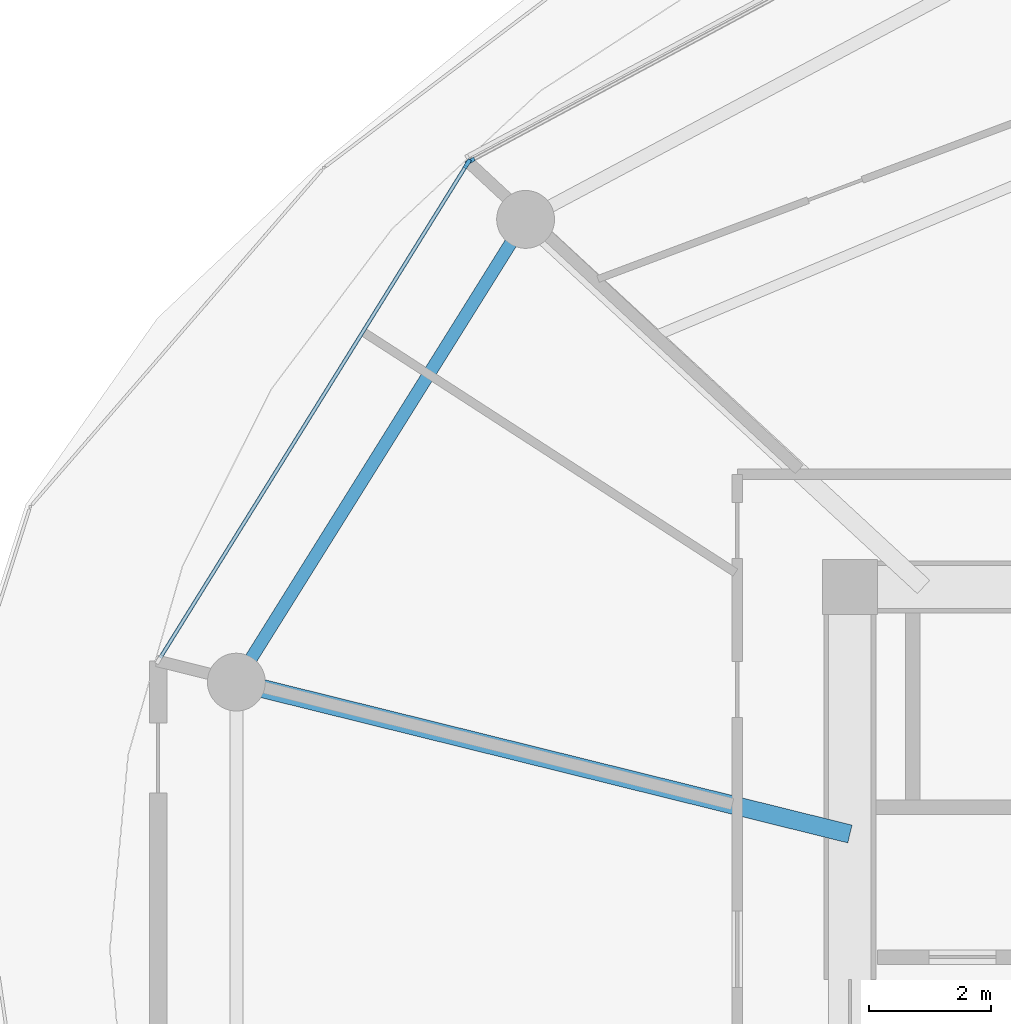
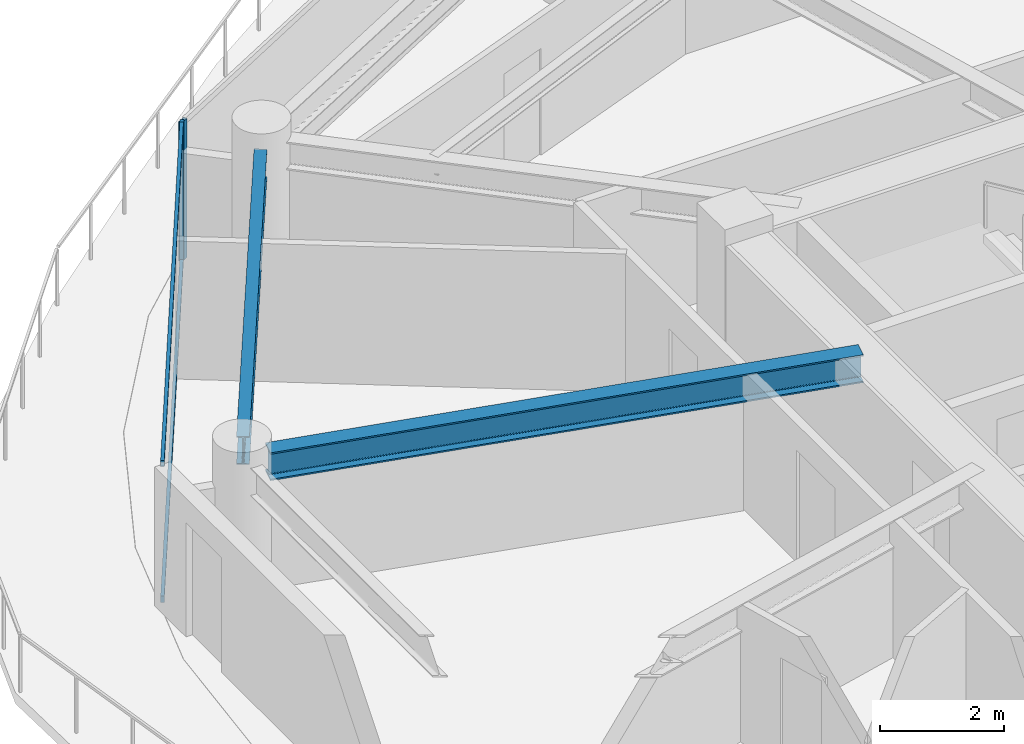
# One storey, part 8 of 26: 4 members, 2 beams, 2 elements without a shape of their own.
"""IFC4 building model written with IfcOpenShell, lengths in metres."""

from ifc_helpers import new_model, si_unit, direction, frame, origin, origin_2d, place, context, subcontext, project, spatial, rectangle, i_section, extrude, source, transform, mapped, material, layer, layer_set, material_profile, profile_set, type_object, type_shapes, element, aggregate, save


model = new_model("IFC4")

# Units and contexts
model_context = context("Model", 3, precision=1e-05, world=origin(), true_north=direction((0.0, 1.0)))
body_context = subcontext(model_context, "Body", "Model", "MODEL_VIEW")
ifc_project = project(units=[si_unit("LENGTHUNIT", "METRE"), si_unit("AREAUNIT", "SQUARE_METRE"), si_unit("VOLUMEUNIT", "CUBIC_METRE"), si_unit("PLANEANGLEUNIT", "RADIAN"), si_unit("MASSUNIT", "GRAM", prefix="KILO")], contexts=[model_context])

# Site, building, storey
site_placement = place(None, origin())
site = spatial("IfcSite", under=ifc_project, at=site_placement, CompositionType="ELEMENT")
building_placement = place(site_placement, origin())
building = spatial("IfcBuilding", under=site, at=building_placement, Name="Norrkilde Senior Care Towers", CompositionType="ELEMENT")
storey_placement = place(building_placement, frame((0.0, 0.0, 70.39990234375)))
storey = spatial("IfcBuildingStorey", under=building, at=storey_placement, Name="L21", CompositionType="ELEMENT", Elevation=70.39990234375)

# Beams
ifc_material_1 = material(Name="Steel S355", Category="steel")
ifc_material_profile_1 = material_profile(ifc_material_1, i_section(OverallWidth=0.2099609375, OverallDepth=0.550048828125, WebThickness=0.010986328125, FlangeThickness=0.01708984375, FilletRadius=0.02392578125, at=origin_2d()), Name="IPE 550")
ifc_profile_set_1 = profile_set([ifc_material_profile_1], Name="Steel S355")
beam_type_1 = type_object("IfcBeamType", Name="Perimeter Ring Spandrel Z1 IPE550", PredefinedType="SPANDREL", material=ifc_profile_set_1)
shared_shape_1 = source(origin(), body_context, "Body", "SweptSolid", [
    extrude(i_section(OverallWidth=0.2099609375, OverallDepth=0.550048828125, WebThickness=0.010986328125, FlangeThickness=0.01708984375, FilletRadius=0.02392578125, at=origin_2d()), origin(), (0.0, 0.0, 1.0), 8.090576171875),
])
type_shapes(beam_type_1, [shared_shape_1])
beam_1_placement = place(storey_placement, frame((14.7939453125, 11.61669921875, 2.455078125), z_axis=(-0.530004364821, -0.84799491347, 0.0), x_axis=(0.84799491347, -0.530004364821, 0.0)))
element("IfcBeam", 1, at=beam_1_placement, inside=storey, type_object=beam_type_1, Name="L21 Drum E Perimeter Spandrel 05", PredefinedType="SPANDREL", context=body_context, shape_type="MappedRepresentation", body=[
    mapped(shared_shape_1, transform((0.0, 0.0, 0.0), x_axis=(1.0, 0.0, 0.0), y_axis=(0.0, 1.0, 0.0), z_axis=(0.0, 0.0, 1.0), scale=1.0)),
])
ifc_material_profile_2 = material_profile(ifc_material_1, i_section(OverallWidth=0.300048828125, OverallDepth=0.550048828125, WebThickness=0.014892578125, FlangeThickness=0.029052734375, FilletRadius=0.027099609375, at=origin_2d()), Name="HEB 550")
ifc_profile_set_2 = profile_set([ifc_material_profile_2], Name="Steel S355")
beam_type_2 = type_object("IfcBeamType", Name="Radial Floor Beam Z1 HEB550", PredefinedType="BEAM", material=ifc_profile_set_2)
shared_shape_2 = source(origin(), body_context, "Body", "SweptSolid", [
    extrude(i_section(OverallWidth=0.300048828125, OverallDepth=0.550048828125, WebThickness=0.014892578125, FlangeThickness=0.029052734375, FilletRadius=0.027099609375, at=origin_2d()), origin(), (0.0, 0.0, 1.0), 9.94384765625),
])
type_shapes(beam_type_2, [shared_shape_2])
beam_2_placement = place(storey_placement, frame((20.35009765625, 1.893310546875, 2.455078125), z_axis=(-0.970707425182, 0.240264634718, 0.0), x_axis=(-0.240264634718, -0.970707425182, 0.0)))
element("IfcBeam", 2, at=beam_2_placement, inside=storey, type_object=beam_type_2, Name="L21 Drum E Radial Floor Beam 06", PredefinedType="BEAM", context=body_context, shape_type="MappedRepresentation", body=[
    mapped(shared_shape_2, transform((0.0, 0.0, 0.0), x_axis=(1.0, 0.0, 0.0), y_axis=(0.0, 1.0, 0.0), z_axis=(0.0, 0.0, 1.0), scale=1.0)),
])

# Curtain wall, members
ifc_material_2 = material(Name="Triple Low-E Insulated Glazing", Category="glass")
ifc_layer = layer(ifc_material_2, 0.199951171875)
ifc_layer_set = layer_set([ifc_layer], Name="Triple Low-E Insulated Glazing")
curtain_wall_type = type_object("IfcCurtainWallType", Name="CW2 Zone 1 Memory Care Curtain Wall", PredefinedType="NOTDEFINED", material=ifc_layer_set)
curtain_wall_1_placement = place(storey_placement, origin())
curtain_wall_1 = element("IfcCurtainWall", 3, at=curtain_wall_1_placement, inside=storey, type_object=curtain_wall_type, Name="L21 Drum E Curtain Wall 04", PredefinedType="NOTDEFINED")
ifc_material_3 = material(Name="Anodised Aluminium", Category="aluminium")
ifc_material_profile_3 = material_profile(ifc_material_3, rectangle(XDim=0.06005859375, YDim=0.1201171875, at=origin_2d()), Name="ALU TRAN 60x120")
ifc_profile_set_3 = profile_set([ifc_material_profile_3], Name="Anodised Aluminium")
member_type_1 = type_object("IfcMemberType", Name="Curtain Wall Transom Typical 60x120", PredefinedType="USERDEFINED", material=ifc_profile_set_3)
shared_shape_3 = source(origin(), body_context, "Body", "SweptSolid", [
    extrude(rectangle(XDim=0.06005859375, YDim=0.1201171875, at=origin_2d()), origin(), (0.0, 0.0, 1.0), 9.5185546875),
])
type_shapes(member_type_1, [shared_shape_3])
member_1_placement = place(storey_placement, frame((9.02490234375, 4.786376953125, 0.030029296875), z_axis=(0.527901620669, 0.849305527413, 0.0), x_axis=(-0.849305527413, 0.527901620669, 0.0)))
member_1 = element("IfcMember", 4, at=member_1_placement, type_object=member_type_1, Name="CW-2 transom 1.1", ObjectType="TRANSOM", PredefinedType="USERDEFINED", context=body_context, shape_type="MappedRepresentation", body=[
    mapped(shared_shape_3, transform((0.0, 0.0, 0.0), x_axis=(1.0, 0.0, 0.0), y_axis=(0.0, 1.0, 0.0), z_axis=(0.0, 0.0, 1.0), scale=1.0)),
])
member_2_placement = place(storey_placement, frame((9.02490234375, 4.786376953125, 2.7001953125), z_axis=(0.527901620669, 0.849305527413, 0.0), x_axis=(-0.849305527413, 0.527901620669, 0.0)))
member_2 = element("IfcMember", 5, at=member_2_placement, type_object=member_type_1, Name="CW-2 transom 1.2", ObjectType="TRANSOM", PredefinedType="USERDEFINED", context=body_context, shape_type="MappedRepresentation", body=[
    mapped(shared_shape_3, transform((0.0, 0.0, 0.0), x_axis=(1.0, 0.0, 0.0), y_axis=(0.0, 1.0, 0.0), z_axis=(0.0, 0.0, 1.0), scale=1.0)),
])

# Curtain wall, member
curtain_wall_2_placement = place(storey_placement, origin())
curtain_wall_2 = element("IfcCurtainWall", 6, at=curtain_wall_2_placement, inside=storey, type_object=curtain_wall_type, Name="L21 Drum E Curtain Wall 03", PredefinedType="NOTDEFINED")
ifc_material_profile_4 = material_profile(ifc_material_3, rectangle(XDim=0.06494140625, YDim=0.159912109375, at=origin_2d()), Name="ALU MULL 65x160")
ifc_profile_set_4 = profile_set([ifc_material_profile_4], Name="Anodised Aluminium")
member_type_2 = type_object("IfcMemberType", Name="Curtain Wall Mullion Z1-Z2 65x160", PredefinedType="MULLION", material=ifc_profile_set_4)
shared_shape_4 = source(origin(), body_context, "Body", "SweptSolid", [
    extrude(rectangle(XDim=0.06494140625, YDim=0.159912109375, at=origin_2d()), origin(), (0.0, 0.0, 1.0), 2.72998046875),
])
type_shapes(member_type_2, [shared_shape_4])
member_3_placement = place(storey_placement, frame((14.11279296875, 12.941162109375, 0.0), z_axis=(0.0, 0.0, 1.0), x_axis=(-0.472607802456, 0.881272866403, 0.0)))
member_3 = element("IfcMember", 7, at=member_3_placement, type_object=member_type_2, Name="CW-2 mullion 1", PredefinedType="MULLION", context=body_context, shape_type="MappedRepresentation", body=[
    mapped(shared_shape_4, transform((0.0, 0.0, 0.0), x_axis=(1.0, 0.0, 0.0), y_axis=(0.0, 1.0, 0.0), z_axis=(0.0, 0.0, 1.0), scale=1.0)),
])
aggregate(curtain_wall_2, [member_3])

# Member
member_4_placement = place(storey_placement, frame((14.06689453125, 12.898193359375, 0.0), z_axis=(0.0, 0.0, 1.0), x_axis=(-0.849305943117, 0.527900951871, 0.0)))
member_4 = element("IfcMember", 8, at=member_4_placement, type_object=member_type_2, Name="CW-2 mullion 2", PredefinedType="MULLION", context=body_context, shape_type="MappedRepresentation", body=[
    mapped(shared_shape_4, transform((0.0, 0.0, 0.0), x_axis=(1.0, 0.0, 0.0), y_axis=(0.0, 1.0, 0.0), z_axis=(0.0, 0.0, 1.0), scale=1.0)),
])

aggregate(curtain_wall_1, [member_4, member_1, member_2])

save(model, "model.ifc")
